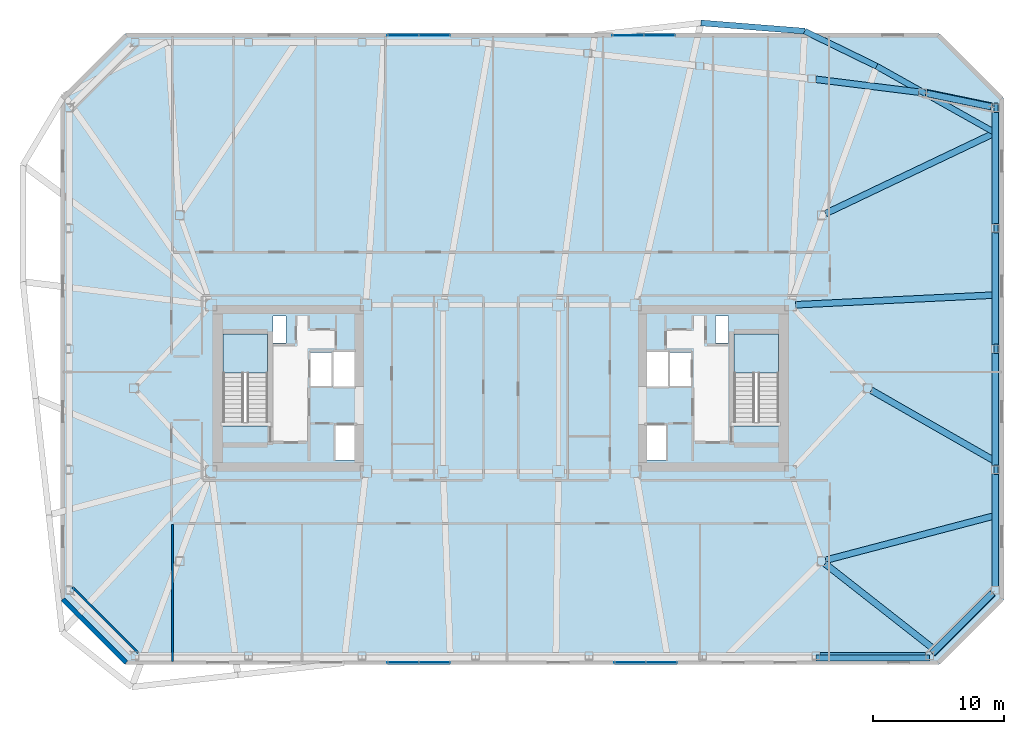
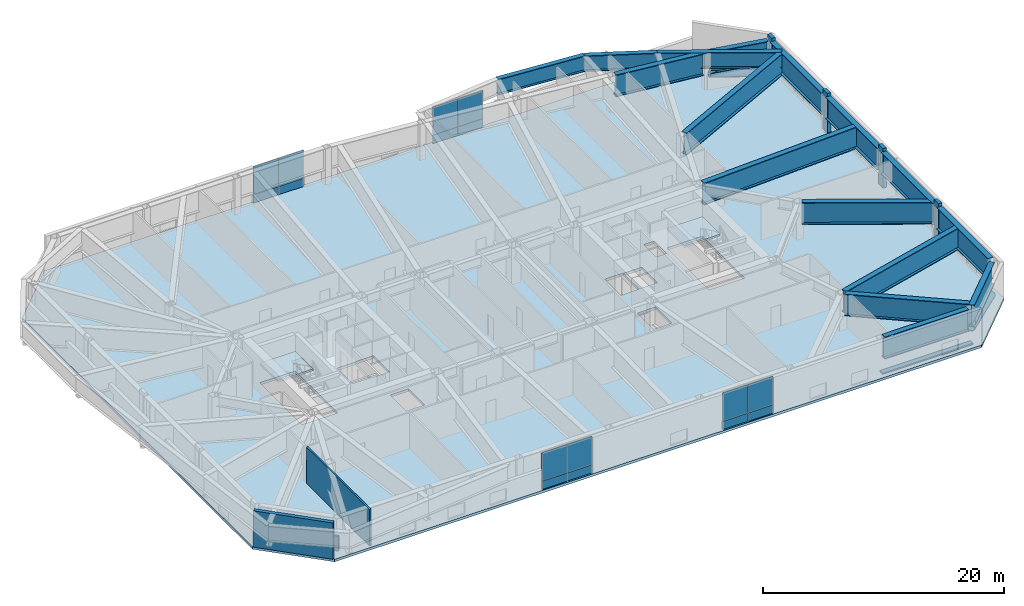
# One storey, part 11 of 19: 16 beams, 16 plates, 7 members, 3 slabs, 3 walls, 6 elements without a shape of their own.
"""IFC4 building model written with IfcOpenShell, lengths in metres."""

from ifc_helpers import new_model, si_unit, direction, frame, frame_2d, origin, origin_2d, place, context, subcontext, project, spatial, polyline, rectangle, hollow_circle, i_section, outline, extrude, material, layer, layer_set, material_profile, profile_set, type_object, element, aggregate, save


model = new_model("IFC4")

# Units and contexts
model_context = context("Model", 3, precision=1e-05, world=origin(), true_north=direction((0.0, 1.0)))
body_context = subcontext(model_context, "Body", "Model", "MODEL_VIEW")
ifc_project = project(units=[si_unit("LENGTHUNIT", "METRE"), si_unit("AREAUNIT", "SQUARE_METRE"), si_unit("VOLUMEUNIT", "CUBIC_METRE"), si_unit("PLANEANGLEUNIT", "RADIAN"), si_unit("MASSUNIT", "GRAM", prefix="KILO")], contexts=[model_context])

# Site, building, storey
site_placement = place(None, origin())
site = spatial("IfcSite", under=ifc_project, at=site_placement, CompositionType="ELEMENT")
building_placement = place(site_placement, origin())
building = spatial("IfcBuilding", under=site, at=building_placement, Name="Tavrogorsk Clinical Tower", CompositionType="ELEMENT")
storey_placement = place(building_placement, frame((0.0, 0.0, 204.199951171875)))
storey = spatial("IfcBuildingStorey", under=building, at=storey_placement, Name="L47", CompositionType="ELEMENT", Elevation=204.199951171875)

# Members
ifc_material_1 = material(Name="Anodised aluminium alloy AW-6063", Category="aluminium")
ifc_material_profile_1 = material_profile(ifc_material_1, rectangle(XDim=0.449951171875, YDim=0.1201171875, at=origin_2d()), Name="ALU-SUNSHADE-450x120")
ifc_profile_set_1 = profile_set([ifc_material_profile_1], Name="Anodised aluminium alloy AW-6063")
member_type_1 = type_object("IfcMemberType", Name="ChicagoSunshade_450x120", PredefinedType="USERDEFINED", material=ifc_profile_set_1)
member_1_placement = place(storey_placement, frame((24.05712890625, -20.60009765625, 0.179931640625), z_axis=(1.0, 0.0, 0.0), x_axis=(0.0, 1.0, 0.0)))
element("IfcMember", 1, at=member_1_placement, inside=storey, type_object=member_type_1, Name="L47 South Aluminium Sunshade S7", ObjectType="SUNSHADE", PredefinedType="USERDEFINED", context=body_context, shape_type="SweptSolid", body=[
    extrude(rectangle(XDim=0.449951171875, YDim=0.1201171875, at=origin_2d()), origin(), (0.0, 0.0, 1.0), 8.662841796875),
])
ifc_material_2 = material(Name="Structural steel S440", Category="steel")
ifc_material_profile_2 = material_profile(ifc_material_2, hollow_circle(Radius=0.304931640625, WallThickness=0.02490234375, at=origin_2d()), Name="CHS-610x25")
ifc_profile_set_2 = profile_set([ifc_material_profile_2], Name="Structural steel S440")
member_type_2 = type_object("IfcMemberType", Name="ExoBrace_CHS610", PredefinedType="BRACE", material=ifc_profile_set_2)
member_2_placement = place(storey_placement, frame((37.5048828125, -15.635009765625, 0.3486328125), z_axis=(-0.698248174064, -0.698248174064, 0.157794089982), x_axis=(0.707106781187, -0.707106781187, 0.0)))
element("IfcMember", 2, at=member_2_placement, inside=storey, type_object=member_type_2, Name="L47 Corner Exoskeleton Brace S8-E1", PredefinedType="BRACE", context=body_context, shape_type="SweptSolid", body=[
    extrude(hollow_circle(Radius=0.304931640625, WallThickness=0.02490234375, at=origin_2d()), origin(), (0.0, 0.0, 1.0), 6.544677734375),
])
member_3_placement = place(storey_placement, frame((37.42431640625, 21.481201171875, 0.360595703125), z_axis=(-0.960147437387, 0.199027743536, 0.196226541993), x_axis=(-0.202973841646, -0.979184160211, 0.0)))
element("IfcMember", 3, at=member_3_placement, inside=storey, type_object=member_type_2, Name="L47 Corner Exoskeleton Brace E5-N1", PredefinedType="BRACE", context=body_context, shape_type="SweptSolid", body=[
    extrude(hollow_circle(Radius=0.304931640625, WallThickness=0.02490234375, at=origin_2d()), origin(), (0.0, 0.0, 1.0), 5.14208984375),
])
ifc_material_3 = material(Name="Precast concrete B45 with limestone cladding", Category="masonry")
ifc_material_profile_3 = material_profile(ifc_material_3, rectangle(XDim=0.320068359375, YDim=0.719970703125, at=origin_2d()), Name="LIMESTONE-FIN-320x720")
ifc_profile_set_3 = profile_set([ifc_material_profile_3], Name="Precast concrete B45 with limestone cladding")
member_type_3 = type_object("IfcMemberType", Name="LimestonePleatFin_320x720", PredefinedType="USERDEFINED", material=ifc_profile_set_3)
for number, where, z_axis, x_axis, name in (
    (4, (37.800048828125, -6.2099609375, 0.0), (0.0, 0.0, 1.0), (1.0, 0.0, 0.0), "L47 E Pleated Stone Fin 1"),
    (5, (37.800048828125, 3.0, 0.0), (0.0, 0.0, 1.0), (1.0, 0.0, 0.0), "L47 E Pleated Stone Fin 2"),
    (6, (37.800048828125, 12.2099609375, 0.0), (0.0, 0.0, 1.0), (1.0, 0.0, 0.0), "L47 E Pleated Stone Fin 3"),
    (7, (37.800048828125, 21.419921875, 0.0), (0.0, 0.0, 1.0), (1.0, 0.0, 0.0), "L47 E Pleated Stone Fin 4"),
):
    element("IfcMember", number, at=place(storey_placement, frame(where, z_axis=z_axis, x_axis=x_axis)), inside=storey, type_object=member_type_3, Name=name, ObjectType="FIN", PredefinedType="USERDEFINED", context=body_context, shape_type="SweptSolid", body=[
        extrude(rectangle(XDim=0.320068359375, YDim=0.719970703125, at=origin_2d()), origin(), (0.0, 0.0, 1.0), 4.0),
    ])

# Beams
ifc_material_4 = material(Name="Structural steel S440", Category="steel")
ifc_material_profile_4 = material_profile(ifc_material_4, i_section(OverallWidth=0.449951171875, OverallDepth=1.60009765625, WebThickness=0.031982421875, FlangeThickness=0.050048828125, at=origin_2d()), Name="DK-1600x450x32x50")
ifc_profile_set_4 = profile_set([ifc_material_profile_4], Name="Structural steel S440")
beam_type_1 = type_object("IfcBeamType", Name="TransferGirder_DK1600", PredefinedType="USERDEFINED", material=ifc_profile_set_4)
beam_1_placement = place(storey_placement, frame((37.719970703125, 19.500732421875, 2.880126953125), z_axis=(-0.872012170054, 0.489484193083, 0.0), x_axis=(-0.489484193083, -0.872012170054, 0.0)))
element("IfcBeam", 8, at=beam_1_placement, inside=storey, type_object=beam_type_1, Name="L48 Transfer Edge Girder E4-E5", ObjectType="GIRDER", PredefinedType="USERDEFINED", context=body_context, shape_type="SweptSolid", body=[
    extrude(i_section(OverallWidth=0.449951171875, OverallDepth=1.60009765625, WebThickness=0.031982421875, FlangeThickness=0.050048828125, at=origin_2d()), origin(), (0.0, 0.0, 1.0), 10.369873046875),
])
beam_2_placement = place(storey_placement, frame((28.67724609375, 24.57666015625, 2.880126953125), z_axis=(-0.898820692789, 0.438316509173, 0.0), x_axis=(-0.438316509173, -0.898820692789, 0.0)))
element("IfcBeam", 9, at=beam_2_placement, inside=storey, type_object=beam_type_1, Name="L48 Transfer Edge Girder E5-N1", ObjectType="GIRDER", PredefinedType="USERDEFINED", context=body_context, shape_type="SweptSolid", body=[
    extrude(i_section(OverallWidth=0.449951171875, OverallDepth=1.60009765625, WebThickness=0.031982421875, FlangeThickness=0.050048828125, at=origin_2d()), origin(), (0.0, 0.0, 1.0), 6.10693359375),
])
beam_3_placement = place(storey_placement, frame((23.188232421875, 27.25341796875, 2.880126953125), z_axis=(-0.99688360158, 0.078886531806, 0.0), x_axis=(-0.078886531806, -0.99688360158, 0.0)))
element("IfcBeam", 10, at=beam_3_placement, inside=storey, type_object=beam_type_1, Name="L48 Transfer Edge Girder N1-N2", ObjectType="GIRDER", PredefinedType="USERDEFINED", context=body_context, shape_type="SweptSolid", body=[
    extrude(i_section(OverallWidth=0.449951171875, OverallDepth=1.60009765625, WebThickness=0.031982421875, FlangeThickness=0.050048828125, at=origin_2d()), origin(), (0.0, 0.0, 1.0), 7.9443359375),
])
ifc_material_5 = material(Name="Structural steel S440", Category="steel")
ifc_material_profile_5 = material_profile(ifc_material_5, i_section(OverallWidth=0.5, OverallDepth=2.199951171875, WebThickness=0.035888671875, FlangeThickness=0.054931640625, at=origin_2d()), Name="DK-2200x500x36x55")
ifc_profile_set_5 = profile_set([ifc_material_profile_5], Name="Structural steel S440")
beam_type_2 = type_object("IfcBeamType", Name="TransferGirder_DK2200", PredefinedType="USERDEFINED", material=ifc_profile_set_5)
beam_4_placement = place(storey_placement, frame((24.364990234375, -20.419921875, 2.580078125), z_axis=(1.0, 0.0, 0.0), x_axis=(0.0, 1.0, 0.0)))
element("IfcBeam", 11, at=beam_4_placement, inside=storey, type_object=beam_type_2, Name="L47 Perimeter Spandrel S7-S8", ObjectType="GIRDER", PredefinedType="USERDEFINED", context=body_context, shape_type="SweptSolid", body=[
    extrude(i_section(OverallWidth=0.5, OverallDepth=2.199951171875, WebThickness=0.035888671875, FlangeThickness=0.054931640625, at=origin_2d()), origin(), (0.0, 0.0, 1.0), 8.047119140625),
])
beam_5_placement = place(storey_placement, frame((32.937744140625, -20.2021484375, 2.580078125), z_axis=(0.707106781187, 0.707106781187, 0.0), x_axis=(-0.707106781187, 0.707106781187, 0.0)))
element("IfcBeam", 12, at=beam_5_placement, inside=storey, type_object=beam_type_2, Name="L47 Perimeter Spandrel S8-E1", ObjectType="GIRDER", PredefinedType="USERDEFINED", context=body_context, shape_type="SweptSolid", body=[
    extrude(i_section(OverallWidth=0.5, OverallDepth=2.199951171875, WebThickness=0.035888671875, FlangeThickness=0.054931640625, at=origin_2d()), origin(), (0.0, 0.0, 1.0), 6.455078125),
])
for number, where, z_axis, x_axis, name in (
    (13, (37.719970703125, -15.112060546875, 2.580078125), (0.0, 1.0, 0.0), (-1.0, 0.0, 0.0), "L47 Perimeter Spandrel E1-E2"),
    (14, (37.719970703125, -5.902099609375, 2.580078125), (0.0, 1.0, 0.0), (-1.0, 0.0, 0.0), "L47 Perimeter Spandrel E2-E3"),
    (15, (37.719970703125, 3.30810546875, 2.580078125), (0.0, 1.0, 0.0), (-1.0, 0.0, 0.0), "L47 Perimeter Spandrel E3-E4"),
    (16, (37.719970703125, 12.51806640625, 2.580078125), (0.0, 1.0, 0.0), (-1.0, 0.0, 0.0), "L47 Perimeter Spandrel E4-E5"),
):
    element("IfcBeam", number, at=place(storey_placement, frame(where, z_axis=z_axis, x_axis=x_axis)), inside=storey, type_object=beam_type_2, Name=name, ObjectType="GIRDER", PredefinedType="USERDEFINED", context=body_context, shape_type="SweptSolid", body=[
        extrude(i_section(OverallWidth=0.5, OverallDepth=2.199951171875, WebThickness=0.035888671875, FlangeThickness=0.054931640625, at=origin_2d()), origin(), (0.0, 0.0, 1.0), 8.593994140625),
    ])
beam_6_placement = place(storey_placement, frame((37.41845703125, 21.482421875, 2.580078125), z_axis=(-0.979184643877, 0.202971508337, 0.0), x_axis=(-0.202971508337, -0.979184643877, 0.0)))
element("IfcBeam", 17, at=beam_6_placement, inside=storey, type_object=beam_type_2, Name="L47 Perimeter Spandrel E5-N1", ObjectType="GIRDER", PredefinedType="USERDEFINED", context=body_context, shape_type="SweptSolid", body=[
    extrude(i_section(OverallWidth=0.5, OverallDepth=2.199951171875, WebThickness=0.035888671875, FlangeThickness=0.054931640625, at=origin_2d()), origin(), (0.0, 0.0, 1.0), 5.0302734375),
])
beam_7_placement = place(storey_placement, frame((31.8857421875, 22.60400390625, 2.580078125), z_axis=(-0.992347112015, 0.123479590521, 0.0), x_axis=(-0.123479590521, -0.992347112015, 0.0)))
element("IfcBeam", 18, at=beam_7_placement, inside=storey, type_object=beam_type_2, Name="L47 Perimeter Spandrel N1-N2", ObjectType="GIRDER", PredefinedType="USERDEFINED", context=body_context, shape_type="SweptSolid", body=[
    extrude(i_section(OverallWidth=0.5, OverallDepth=2.199951171875, WebThickness=0.035888671875, FlangeThickness=0.054931640625, at=origin_2d()), origin(), (0.0, 0.0, 1.0), 7.90283203125),
])
beam_8_placement = place(storey_placement, frame((24.743896484375, -13.391357421875, 2.580078125), z_axis=(0.786722455094, -0.61730687559, 0.0), x_axis=(0.61730687559, 0.786722455094, 0.0)))
element("IfcBeam", 19, at=beam_8_placement, inside=storey, type_object=beam_type_2, Name="L48 Block Transfer Girder S8", ObjectType="GIRDER", PredefinedType="USERDEFINED", context=body_context, shape_type="SweptSolid", body=[
    extrude(i_section(OverallWidth=0.5, OverallDepth=2.199951171875, WebThickness=0.035888671875, FlangeThickness=0.054931640625, at=origin_2d()), origin(), (0.0, 0.0, 1.0), 10.68701171875),
])
beam_9_placement = place(storey_placement, frame((24.7998046875, -13.12109375, 2.580078125), z_axis=(0.967068145859, 0.254517585373, 0.0), x_axis=(-0.254517585373, 0.967068145859, 0.0)))
element("IfcBeam", 20, at=beam_9_placement, inside=storey, type_object=beam_type_2, Name="L48 Block Transfer Girder E1", ObjectType="GIRDER", PredefinedType="USERDEFINED", context=body_context, shape_type="SweptSolid", body=[
    extrude(i_section(OverallWidth=0.5, OverallDepth=2.199951171875, WebThickness=0.035888671875, FlangeThickness=0.054931640625, at=origin_2d()), origin(), (0.0, 0.0, 1.0), 13.360107421875),
])
beam_10_placement = place(storey_placement, frame((28.26904296875, -0.154052734375, 2.580078125), z_axis=(0.867765441161, -0.496973982344, 0.0), x_axis=(0.496973982344, 0.867765441161, 0.0)))
element("IfcBeam", 21, at=beam_10_placement, inside=storey, type_object=beam_type_2, Name="L48 Block Transfer Girder E2", ObjectType="GIRDER", PredefinedType="USERDEFINED", context=body_context, shape_type="SweptSolid", body=[
    extrude(i_section(OverallWidth=0.5, OverallDepth=2.199951171875, WebThickness=0.035888671875, FlangeThickness=0.054931640625, at=origin_2d()), origin(), (0.0, 0.0, 1.0), 10.89111328125),
])
beam_11_placement = place(storey_placement, frame((22.509521484375, 6.3701171875, 2.580078125), z_axis=(0.998800715332, 0.048960505034, 0.0), x_axis=(-0.048960505034, 0.998800715332, 0.0)))
element("IfcBeam", 22, at=beam_11_placement, inside=storey, type_object=beam_type_2, Name="L48 Block Transfer Girder E3", ObjectType="GIRDER", PredefinedType="USERDEFINED", context=body_context, shape_type="SweptSolid", body=[
    extrude(i_section(OverallWidth=0.5, OverallDepth=2.199951171875, WebThickness=0.035888671875, FlangeThickness=0.054931640625, at=origin_2d()), origin(), (0.0, 0.0, 1.0), 15.228759765625),
])
beam_12_placement = place(storey_placement, frame((24.77978515625, 13.333251953125, 2.580078125), z_axis=(0.902711873582, 0.430245596484, 0.0), x_axis=(-0.430245596484, 0.902711873582, 0.0)))
element("IfcBeam", 23, at=beam_12_placement, inside=storey, type_object=beam_type_2, Name="L48 Block Transfer Girder E4", ObjectType="GIRDER", PredefinedType="USERDEFINED", context=body_context, shape_type="SweptSolid", body=[
    extrude(i_section(OverallWidth=0.5, OverallDepth=2.199951171875, WebThickness=0.035888671875, FlangeThickness=0.054931640625, at=origin_2d()), origin(), (0.0, 0.0, 1.0), 14.334716796875),
])

# Curtain wall, plates
ifc_material_6 = material(Name="Anodised aluminium and triple IGU glazing", Category="aluminium")
ifc_layer_1 = layer(ifc_material_6, 0.179931640625)
ifc_layer_set_1 = layer_set([ifc_layer_1], Name="Anodised aluminium and triple IGU glazing")
curtain_wall_type_1 = type_object("IfcCurtainWallType", Name="CW3_SouthSlot", PredefinedType="NOTDEFINED", material=ifc_layer_set_1)
curtain_wall_1_placement = place(storey_placement, origin())
curtain_wall_1 = element("IfcCurtainWall", 24, at=curtain_wall_1_placement, inside=storey, type_object=curtain_wall_type_1, Name="L47 Curtain Wall CW-L47-S-SLOT-1", PredefinedType="NOTDEFINED")
ifc_material_7 = material(Name="Honed Podolsk limestone spandrel panel", Category="masonry")
ifc_layer_2 = layer(ifc_material_7, 0.080078125)
ifc_layer_set_2 = layer_set([ifc_layer_2], Name="Honed Podolsk limestone spandrel panel")
plate_type_1 = type_object("IfcPlateType", Name="CwSpandrelStonePanel_80", PredefinedType="CURTAIN_PANEL", material=ifc_layer_set_2)
plate_1_placement = place(storey_placement, frame((-7.470947265625, -20.929931640625, 0.002197265625), z_axis=(0.0, 0.0, 1.0), x_axis=(1.0, 0.0, 0.0)))
plate_1 = element("IfcPlate", 25, at=plate_1_placement, type_object=plate_type_1, Name="CW-L47-S-SLOT-1 Stone Spandrel Panel 1", PredefinedType="CURTAIN_PANEL", context=body_context, shape_type="SweptSolid", body=[
    extrude(rectangle(XDim=2.39208984375, YDim=0.080078125, at=origin_2d()), origin(), (0.0, 0.0, 1.0), 0.8359375),
])
plate_2_placement = place(storey_placement, frame((-5.054931640625, -20.929931640625, 0.002197265625), z_axis=(0.0, 0.0, 1.0), x_axis=(1.0, 0.0, 0.0)))
plate_2 = element("IfcPlate", 26, at=plate_2_placement, type_object=plate_type_1, Name="CW-L47-S-SLOT-1 Stone Spandrel Panel 2", PredefinedType="CURTAIN_PANEL", context=body_context, shape_type="SweptSolid", body=[
    extrude(rectangle(XDim=2.39208984375, YDim=0.080078125, at=origin_2d()), origin(), (0.0, 0.0, 1.0), 0.8359375),
])

curtain_wall_2_placement = place(storey_placement, origin())
curtain_wall_2 = element("IfcCurtainWall", 27, at=curtain_wall_2_placement, inside=storey, type_object=curtain_wall_type_1, Name="L47 Curtain Wall CW-L47-S-SLOT-2", PredefinedType="NOTDEFINED")
plate_3_placement = place(storey_placement, frame((9.854736328125, -20.929931640625, 0.002197265625), z_axis=(0.0, 0.0, 1.0), x_axis=(1.0, 0.0, 0.0)))
plate_3 = element("IfcPlate", 28, at=plate_3_placement, type_object=plate_type_1, Name="CW-L47-S-SLOT-2 Stone Spandrel Panel 1", PredefinedType="CURTAIN_PANEL", context=body_context, shape_type="SweptSolid", body=[
    extrude(rectangle(XDim=2.39208984375, YDim=0.080078125, at=origin_2d()), origin(), (0.0, 0.0, 1.0), 0.8359375),
])
plate_4_placement = place(storey_placement, frame((12.270751953125, -20.929931640625, 0.002197265625), z_axis=(0.0, 0.0, 1.0), x_axis=(1.0, 0.0, 0.0)))
plate_4 = element("IfcPlate", 29, at=plate_4_placement, type_object=plate_type_1, Name="CW-L47-S-SLOT-2 Stone Spandrel Panel 2", PredefinedType="CURTAIN_PANEL", context=body_context, shape_type="SweptSolid", body=[
    extrude(rectangle(XDim=2.39208984375, YDim=0.080078125, at=origin_2d()), origin(), (0.0, 0.0, 1.0), 0.8359375),
])

ifc_material_8 = material(Name="Anodised aluminium and triple IGU glazing", Category="aluminium")
ifc_layer_3 = layer(ifc_material_8, 0.179931640625)
ifc_layer_set_3 = layer_set([ifc_layer_3], Name="Anodised aluminium and triple IGU glazing")
curtain_wall_type_2 = type_object("IfcCurtainWallType", Name="CW2_NorthSlot", PredefinedType="NOTDEFINED", material=ifc_layer_set_3)
curtain_wall_3_placement = place(storey_placement, origin())
curtain_wall_3 = element("IfcCurtainWall", 30, at=curtain_wall_3_placement, inside=storey, type_object=curtain_wall_type_2, Name="L47 Curtain Wall CW-L47-N-SLOT-1", PredefinedType="NOTDEFINED")
plate_5_placement = place(storey_placement, frame((-5.054931640625, 26.929931640625, 0.002197265625), z_axis=(0.0, 0.0, 1.0), x_axis=(-1.0, 0.0, 0.0)))
plate_5 = element("IfcPlate", 31, at=plate_5_placement, type_object=plate_type_1, Name="CW-L47-N-SLOT-1 Stone Spandrel Panel 1", PredefinedType="CURTAIN_PANEL", context=body_context, shape_type="SweptSolid", body=[
    extrude(rectangle(XDim=2.39208984375, YDim=0.080078125, at=origin_2d()), origin(), (0.0, 0.0, 1.0), 0.8359375),
])
plate_6_placement = place(storey_placement, frame((-7.470947265625, 26.929931640625, 0.002197265625), z_axis=(0.0, 0.0, 1.0), x_axis=(-1.0, 0.0, 0.0)))
plate_6 = element("IfcPlate", 32, at=plate_6_placement, type_object=plate_type_1, Name="CW-L47-N-SLOT-1 Stone Spandrel Panel 2", PredefinedType="CURTAIN_PANEL", context=body_context, shape_type="SweptSolid", body=[
    extrude(rectangle(XDim=2.39208984375, YDim=0.080078125, at=origin_2d()), origin(), (0.0, 0.0, 1.0), 0.8359375),
])

curtain_wall_4_placement = place(storey_placement, origin())
curtain_wall_4 = element("IfcCurtainWall", 33, at=curtain_wall_4_placement, inside=storey, type_object=curtain_wall_type_2, Name="L47 Curtain Wall CW-L47-N-SLOT-2", PredefinedType="NOTDEFINED")
plate_7_placement = place(storey_placement, frame((12.1181640625, 26.929931640625, 0.002197265625), z_axis=(0.0, 0.0, 1.0), x_axis=(-1.0, 0.0, 0.0)))
plate_7 = element("IfcPlate", 34, at=plate_7_placement, type_object=plate_type_1, Name="CW-L47-N-SLOT-2 Stone Spandrel Panel 1", PredefinedType="CURTAIN_PANEL", context=body_context, shape_type="SweptSolid", body=[
    extrude(rectangle(XDim=2.39208984375, YDim=0.080078125, at=origin_2d()), origin(), (0.0, 0.0, 1.0), 0.8359375),
])
plate_8_placement = place(storey_placement, frame((9.7021484375, 26.929931640625, 0.002197265625), z_axis=(0.0, 0.0, 1.0), x_axis=(-1.0, 0.0, 0.0)))
plate_8 = element("IfcPlate", 35, at=plate_8_placement, type_object=plate_type_1, Name="CW-L47-N-SLOT-2 Stone Spandrel Panel 2", PredefinedType="CURTAIN_PANEL", context=body_context, shape_type="SweptSolid", body=[
    extrude(rectangle(XDim=2.39208984375, YDim=0.080078125, at=origin_2d()), origin(), (0.0, 0.0, 1.0), 0.8359375),
])

# Plate
ifc_material_9 = material(Name="Triple low-E argon insulated glass", Category="glass")
ifc_layer_4 = layer(ifc_material_9, 0.048095703125)
ifc_layer_set_4 = layer_set([ifc_layer_4], Name="Triple low-E argon insulated glass")
plate_type_2 = type_object("IfcPlateType", Name="CwVisionGlassPanel_48", PredefinedType="CURTAIN_PANEL", material=ifc_layer_set_4)
plate_9_placement = place(storey_placement, frame((-7.470947265625, -20.929931640625, 0.862060546875), z_axis=(0.0, 0.0, 1.0), x_axis=(1.0, 0.0, 0.0)))
plate_9 = element("IfcPlate", 36, at=plate_9_placement, type_object=plate_type_2, Name="CW-L47-S-SLOT-1 Glazing Panel 1", PredefinedType="CURTAIN_PANEL", context=body_context, shape_type="SweptSolid", body=[
    extrude(rectangle(XDim=2.39208984375, YDim=0.048095703125, at=origin_2d()), origin(), (0.0, 0.0, 1.0), 2.81591796875),
])

plate_10_placement = place(storey_placement, frame((-5.054931640625, -20.929931640625, 0.862060546875), z_axis=(0.0, 0.0, 1.0), x_axis=(1.0, 0.0, 0.0)))
plate_10 = element("IfcPlate", 37, at=plate_10_placement, type_object=plate_type_2, Name="CW-L47-S-SLOT-1 Glazing Panel 2", PredefinedType="CURTAIN_PANEL", context=body_context, shape_type="SweptSolid", body=[
    extrude(rectangle(XDim=2.39208984375, YDim=0.048095703125, at=origin_2d()), origin(), (0.0, 0.0, 1.0), 2.81591796875),
])

aggregate(curtain_wall_1, [plate_1, plate_9, plate_2, plate_10])

plate_11_placement = place(storey_placement, frame((9.854736328125, -20.929931640625, 0.862060546875), z_axis=(0.0, 0.0, 1.0), x_axis=(1.0, 0.0, 0.0)))
plate_11 = element("IfcPlate", 38, at=plate_11_placement, type_object=plate_type_2, Name="CW-L47-S-SLOT-2 Glazing Panel 1", PredefinedType="CURTAIN_PANEL", context=body_context, shape_type="SweptSolid", body=[
    extrude(rectangle(XDim=2.39208984375, YDim=0.048095703125, at=origin_2d()), origin(), (0.0, 0.0, 1.0), 2.81591796875),
])

plate_12_placement = place(storey_placement, frame((12.270751953125, -20.929931640625, 0.862060546875), z_axis=(0.0, 0.0, 1.0), x_axis=(1.0, 0.0, 0.0)))
plate_12 = element("IfcPlate", 39, at=plate_12_placement, type_object=plate_type_2, Name="CW-L47-S-SLOT-2 Glazing Panel 2", PredefinedType="CURTAIN_PANEL", context=body_context, shape_type="SweptSolid", body=[
    extrude(rectangle(XDim=2.39208984375, YDim=0.048095703125, at=origin_2d()), origin(), (0.0, 0.0, 1.0), 2.81591796875),
])

aggregate(curtain_wall_2, [plate_3, plate_11, plate_4, plate_12])

plate_13_placement = place(storey_placement, frame((-5.054931640625, 26.929931640625, 0.862060546875), z_axis=(0.0, 0.0, 1.0), x_axis=(-1.0, 0.0, 0.0)))
plate_13 = element("IfcPlate", 40, at=plate_13_placement, type_object=plate_type_2, Name="CW-L47-N-SLOT-1 Glazing Panel 1", PredefinedType="CURTAIN_PANEL", context=body_context, shape_type="SweptSolid", body=[
    extrude(rectangle(XDim=2.39208984375, YDim=0.048095703125, at=origin_2d()), origin(), (0.0, 0.0, 1.0), 2.81591796875),
])

plate_14_placement = place(storey_placement, frame((-7.470947265625, 26.929931640625, 0.862060546875), z_axis=(0.0, 0.0, 1.0), x_axis=(-1.0, 0.0, 0.0)))
plate_14 = element("IfcPlate", 41, at=plate_14_placement, type_object=plate_type_2, Name="CW-L47-N-SLOT-1 Glazing Panel 2", PredefinedType="CURTAIN_PANEL", context=body_context, shape_type="SweptSolid", body=[
    extrude(rectangle(XDim=2.39208984375, YDim=0.048095703125, at=origin_2d()), origin(), (0.0, 0.0, 1.0), 2.81591796875),
])

aggregate(curtain_wall_3, [plate_5, plate_13, plate_6, plate_14])

plate_15_placement = place(storey_placement, frame((12.1181640625, 26.929931640625, 0.862060546875), z_axis=(0.0, 0.0, 1.0), x_axis=(-1.0, 0.0, 0.0)))
plate_15 = element("IfcPlate", 42, at=plate_15_placement, type_object=plate_type_2, Name="CW-L47-N-SLOT-2 Glazing Panel 1", PredefinedType="CURTAIN_PANEL", context=body_context, shape_type="SweptSolid", body=[
    extrude(rectangle(XDim=2.39208984375, YDim=0.048095703125, at=origin_2d()), origin(), (0.0, 0.0, 1.0), 2.81591796875),
])

plate_16_placement = place(storey_placement, frame((9.7021484375, 26.929931640625, 0.862060546875), z_axis=(0.0, 0.0, 1.0), x_axis=(-1.0, 0.0, 0.0)))
plate_16 = element("IfcPlate", 43, at=plate_16_placement, type_object=plate_type_2, Name="CW-L47-N-SLOT-2 Glazing Panel 2", PredefinedType="CURTAIN_PANEL", context=body_context, shape_type="SweptSolid", body=[
    extrude(rectangle(XDim=2.39208984375, YDim=0.048095703125, at=origin_2d()), origin(), (0.0, 0.0, 1.0), 2.81591796875),
])

aggregate(curtain_wall_4, [plate_7, plate_15, plate_8, plate_16])

# Stair, slab
ifc_material_10 = material(Name="Concrete B60", Category="concrete")
stair_type = type_object("IfcStairType", Name="CoreStairAssembly", PredefinedType="HALF_TURN_STAIR", material=ifc_material_10)
stair_1_placement = place(storey_placement, origin())
stair_1 = element("IfcStair", 44, at=stair_1_placement, inside=storey, type_object=stair_type, Name="L47 ST-W", PredefinedType="HALF_TURN_STAIR")
ifc_material_11 = material(Name="Concrete B60", Category="concrete")
ifc_layer_5 = layer(ifc_material_11, 0.199951171875)
ifc_layer_set_5 = layer_set([ifc_layer_5], Name="Concrete B60")
slab_type_1 = type_object("IfcSlabType", Name="StairLanding_200", PredefinedType="LANDING", material=ifc_layer_set_5)
slab_1_placement = place(storey_placement, frame((0.0, 0.0, 1.800048828125)))
slab_1 = element("IfcSlab", 45, at=slab_1_placement, type_object=slab_type_1, Name="ST-W landing 1", PredefinedType="LANDING", context=body_context, shape_type="SweptSolid", body=[
    extrude(outline(polyline([(-17.800048828125, 1.1650390625), (-17.800048828125, 4.125), (-21.199951171875, 4.125), (-21.199951171875, 1.1650390625), (-17.800048828125, 1.1650390625)])), origin(), (0.0, 0.0, 1.0), 0.199951171875),
])
aggregate(stair_1, [slab_1])

stair_2_placement = place(storey_placement, origin())
stair_2 = element("IfcStair", 46, at=stair_2_placement, inside=storey, type_object=stair_type, Name="L47 ST-E", PredefinedType="HALF_TURN_STAIR")
slab_2_placement = place(storey_placement, frame((0.0, 0.0, 1.800048828125)))
slab_2 = element("IfcSlab", 47, at=slab_2_placement, type_object=slab_type_1, Name="ST-E landing 1", PredefinedType="LANDING", context=body_context, shape_type="SweptSolid", body=[
    extrude(outline(polyline([(21.199951171875, 1.1650390625), (21.199951171875, 4.125), (17.800048828125, 4.125), (17.800048828125, 1.1650390625), (21.199951171875, 1.1650390625)])), origin(), (0.0, 0.0, 1.0), 0.199951171875),
])
aggregate(stair_2, [slab_2])

# Slab
ifc_material_12 = material(Name="Concrete B60", Category="concrete")
ifc_layer_6 = layer(ifc_material_12, 0.260009765625)
ifc_layer_set_6 = layer_set([ifc_layer_6], Name="Concrete B60")
slab_type_2 = type_object("IfcSlabType", Name="WardSlab_260", PredefinedType="FLOOR", material=ifc_layer_set_6)
slab_3_placement = place(storey_placement, frame((0.0, 0.0, -0.260009765625)))
element("IfcSlab", 48, at=slab_3_placement, inside=storey, type_object=slab_type_2, Name="L47 Structural Slab", PredefinedType="FLOOR", context=body_context, shape_type="SweptSolid", body=[
    extrude(outline(polyline([(-28.60009765625, -21.10009765625), (33.39990234375, -21.10009765625), (38.39990234375, -16.10009765625), (38.39990234375, 22.10009765625), (33.39990234375, 27.10009765625), (-28.60009765625, 27.10009765625), (-33.60009765625, 22.10009765625), (-33.60009765625, -16.10009765625), (-28.60009765625, -21.10009765625)]), holes=[polyline([(-17.800048828125, -2.8798828125), (-17.800048828125, 4.125), (-21.199951171875, 4.125), (-21.199951171875, -2.8798828125), (-17.800048828125, -2.8798828125)]), polyline([(21.199951171875, -2.8798828125), (21.199951171875, 4.125), (17.800048828125, 4.125), (17.800048828125, -2.8798828125), (21.199951171875, -2.8798828125)]), polyline([(-14.6201171875, 0.169921875), (-12.860107421875, 0.169921875), (-12.860107421875, 2.72998046875), (-14.6201171875, 2.72998046875), (-14.6201171875, 0.169921875)]), polyline([(-12.72998046875, -5.47998046875), (-10.969970703125, -5.47998046875), (-10.969970703125, -2.820068359375), (-12.72998046875, -2.820068359375), (-12.72998046875, -5.47998046875)]), polyline([(-12.840087890625, 0.1201171875), (-11.080078125, 0.1201171875), (-11.080078125, 2.780029296875), (-12.840087890625, 2.780029296875), (-12.840087890625, 0.1201171875)]), polyline([(12.860107421875, 0.169921875), (14.6201171875, 0.169921875), (14.6201171875, 2.72998046875), (12.860107421875, 2.72998046875), (12.860107421875, 0.169921875)]), polyline([(10.969970703125, -5.47998046875), (12.72998046875, -5.47998046875), (12.72998046875, -2.820068359375), (10.969970703125, -2.820068359375), (10.969970703125, -5.47998046875)]), polyline([(11.080078125, 0.1201171875), (12.840087890625, 0.1201171875), (12.840087890625, 2.780029296875), (11.080078125, 2.780029296875), (11.080078125, 0.1201171875)]), polyline([(-17.3798828125, 3.449951171875), (-16.3798828125, 3.449951171875), (-16.3798828125, 5.5), (-17.3798828125, 5.5), (-17.3798828125, 3.449951171875)]), polyline([(16.3798828125, 3.449951171875), (17.3798828125, 3.449951171875), (17.3798828125, 5.5), (16.3798828125, 5.5), (16.3798828125, 3.449951171875)])]), origin(), (0.0, 0.0, 1.0), 0.260009765625),
])

# Walls
ifc_material_13 = material(Name="Lightweight concrete blockwork B15", Category="masonry")
ifc_layer_7 = layer(ifc_material_13, 0.159912109375)
ifc_layer_set_7 = layer_set([ifc_layer_7], Name="Lightweight concrete blockwork B15")
wall_type_1 = type_object("IfcWallType", Name="PartitionWall_160", PredefinedType="PARTITIONING", material=ifc_layer_set_7)
wall_1_placement = place(storey_placement, frame((-32.6796875, -15.1796875, 0.0), z_axis=(0.0, 0.0, 1.0), x_axis=(0.707106781187, -0.707106781187, 0.0)))
element("IfcWall", 49, at=wall_1_placement, inside=storey, type_object=wall_type_1, Name="L47 Corner Exoskeleton Brace Furring Wall 4", PredefinedType="PARTITIONING", context=body_context, shape_type="SweptSolid", body=[
    extrude(rectangle(XDim=7.071044921875, YDim=0.159912109375, at=frame_2d((3.53564453125, 0.0))), origin(), (0.0, 0.0, 1.0), 1.47509765625),
])
wall_2_placement = place(storey_placement, frame((-25.050048828125, -20.860107421875, 0.0), z_axis=(0.0, 0.0, 1.0), x_axis=(0.0, 1.0, 0.0)))
element("IfcWall", 50, at=wall_2_placement, inside=storey, type_object=wall_type_1, Name="L47 SW Wing Closure Partition", PredefinedType="PARTITIONING", context=body_context, shape_type="SweptSolid", body=[
    extrude(rectangle(XDim=10.445068359375, YDim=0.159912109375, at=frame_2d((5.22265625, 0.0))), origin(), (0.0, 0.0, 1.0), 3.679931640625),
])
ifc_material_14 = material(Name="Precast concrete B45 with limestone cladding", Category="masonry")
ifc_layer_8 = layer(ifc_material_14, 0.340087890625)
ifc_layer_set_8 = layer_set([ifc_layer_8], Name="Precast concrete B45 with limestone cladding")
wall_type_2 = type_object("IfcWallType", Name="PrecastLimestoneWall_340", PredefinedType="STANDARD", material=ifc_layer_set_8)
wall_3_placement = place(storey_placement, frame((-33.429931640625, -16.10009765625, 0.0), z_axis=(0.0, 0.0, 1.0), x_axis=(0.707106781187, -0.707106781187, 0.0)))
element("IfcWall", 51, at=wall_3_placement, inside=storey, type_object=wall_type_2, Name="L47 Chamfered Corner Wall 4", PredefinedType="STANDARD", context=body_context, shape_type="SweptSolid", body=[
    extrude(rectangle(XDim=6.830322265625, YDim=0.340087890625, at=frame_2d((3.4150390625, 0.0))), origin(), (0.0, 0.0, 1.0), 3.679931640625),
])

save(model, "model.ifc")
